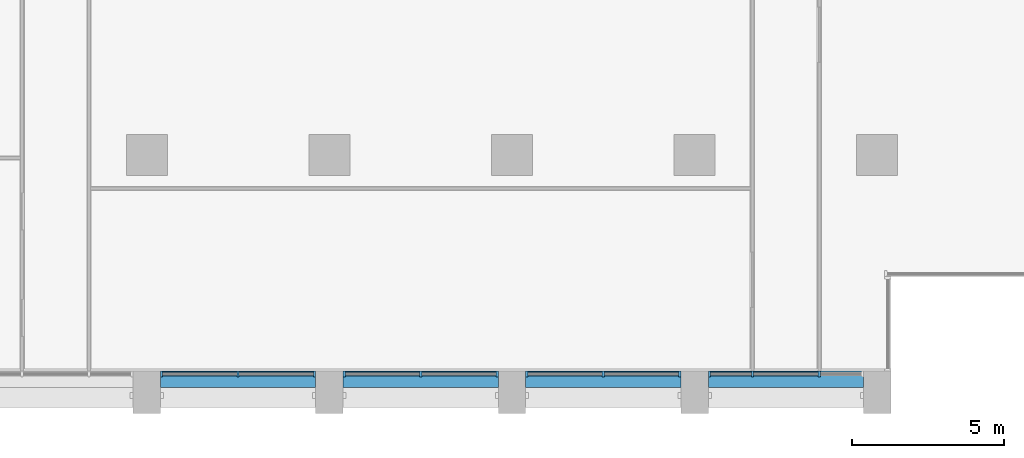
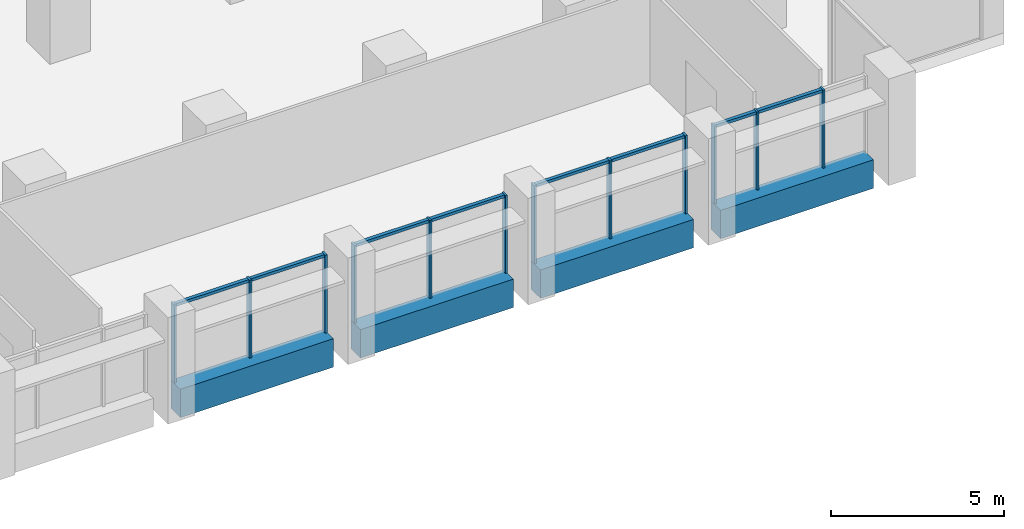
# One storey, part 3 of 15: 20 members, 4 beams, 4 elements without a shape of their own.
"""IFC4 building model written with IfcOpenShell, lengths in metres."""

from ifc_helpers import new_model, si_unit, direction, frame, origin, origin_2d, place, context, subcontext, project, spatial, rectangle, extrude, material, material_profile, profile_set, type_object, element, aggregate, save


model = new_model("IFC4")

# Units and contexts
model_context = context("Model", 3, precision=1e-05, world=origin(), true_north=direction((0.0, 1.0)))
body_context = subcontext(model_context, "Body", "Model", "MODEL_VIEW")
ifc_project = project(units=[si_unit("LENGTHUNIT", "METRE"), si_unit("AREAUNIT", "SQUARE_METRE"), si_unit("VOLUMEUNIT", "CUBIC_METRE"), si_unit("PLANEANGLEUNIT", "RADIAN"), si_unit("MASSUNIT", "GRAM", prefix="KILO")], contexts=[model_context])

# Site, building, storey
site_placement = place(None, origin())
site = spatial("IfcSite", under=ifc_project, at=site_placement, CompositionType="ELEMENT")
building_placement = place(site_placement, origin())
building = spatial("IfcBuilding", under=site, at=building_placement, Name="Calvaro Tower", CompositionType="ELEMENT")
storey_placement = place(building_placement, frame((0.0, 0.0, 117.5)))
storey = spatial("IfcBuildingStorey", under=building, at=storey_placement, Name="L29", CompositionType="ELEMENT", Elevation=117.5)

# Curtain wall, members
ifc_material_1 = material(Name="Anodised aluminium", Category="aluminium")
curtain_wall_type = type_object("IfcCurtainWallType", Name="Office curtain wall, middle zone", PredefinedType="NOTDEFINED", material=ifc_material_1)
curtain_wall_1_placement = place(storey_placement, origin())
curtain_wall_1 = element("IfcCurtainWall", 1, at=curtain_wall_1_placement, inside=storey, type_object=curtain_wall_type, Name="CW2 south curtain wall", PredefinedType="NOTDEFINED")
ifc_material_2 = material(Name="Anodised aluminium", Category="aluminium")
ifc_material_profile_1 = material_profile(ifc_material_2, rectangle(XDim=0.199951171875, YDim=0.070068359375, at=origin_2d()), Name="Mullion S2 70 x 200")
ifc_profile_set_1 = profile_set([ifc_material_profile_1], Name="Anodised aluminium")
member_type_1 = type_object("IfcMemberType", Name="Mullion S2 70 x 200", PredefinedType="MULLION", material=ifc_profile_set_1)
member_1_placement = place(storey_placement, frame((42.485107421875, 2.800048828125, 0.0), z_axis=(0.0, 0.0, 1.0), x_axis=(0.0, 1.0, 0.0)))
member_1 = element("IfcMember", 2, at=member_1_placement, type_object=member_type_1, Name="CW2 mullion 1", PredefinedType="MULLION", context=body_context, shape_type="SweptSolid", body=[
    extrude(rectangle(XDim=0.199951171875, YDim=0.070068359375, at=origin_2d()), origin(), (0.0, 0.0, 1.0), 2.75),
])
member_2_placement = place(storey_placement, frame((45.0, 2.800048828125, 0.0), z_axis=(0.0, 0.0, 1.0), x_axis=(0.0, 1.0, 0.0)))
member_2 = element("IfcMember", 3, at=member_2_placement, type_object=member_type_1, Name="CW2 mullion 2", PredefinedType="MULLION", context=body_context, shape_type="SweptSolid", body=[
    extrude(rectangle(XDim=0.199951171875, YDim=0.070068359375, at=origin_2d()), origin(), (0.0, 0.0, 1.0), 2.75),
])
member_3_placement = place(storey_placement, frame((47.514892578125, 2.800048828125, 0.0), z_axis=(0.0, 0.0, 1.0), x_axis=(0.0, 1.0, 0.0)))
member_3 = element("IfcMember", 4, at=member_3_placement, type_object=member_type_1, Name="CW2 mullion 3", PredefinedType="MULLION", context=body_context, shape_type="SweptSolid", body=[
    extrude(rectangle(XDim=0.199951171875, YDim=0.070068359375, at=origin_2d()), origin(), (0.0, 0.0, 1.0), 2.75),
])

curtain_wall_2_placement = place(storey_placement, origin())
curtain_wall_2 = element("IfcCurtainWall", 5, at=curtain_wall_2_placement, inside=storey, type_object=curtain_wall_type, Name="CW2 south curtain wall", PredefinedType="NOTDEFINED")
member_4_placement = place(storey_placement, frame((48.485107421875, 2.800048828125, 0.0), z_axis=(0.0, 0.0, 1.0), x_axis=(0.0, 1.0, 0.0)))
member_4 = element("IfcMember", 6, at=member_4_placement, type_object=member_type_1, Name="CW2 mullion 1", PredefinedType="MULLION", context=body_context, shape_type="SweptSolid", body=[
    extrude(rectangle(XDim=0.199951171875, YDim=0.070068359375, at=origin_2d()), origin(), (0.0, 0.0, 1.0), 2.75),
])
member_5_placement = place(storey_placement, frame((51.0, 2.800048828125, 0.0), z_axis=(0.0, 0.0, 1.0), x_axis=(0.0, 1.0, 0.0)))
member_5 = element("IfcMember", 7, at=member_5_placement, type_object=member_type_1, Name="CW2 mullion 2", PredefinedType="MULLION", context=body_context, shape_type="SweptSolid", body=[
    extrude(rectangle(XDim=0.199951171875, YDim=0.070068359375, at=origin_2d()), origin(), (0.0, 0.0, 1.0), 2.75),
])
member_6_placement = place(storey_placement, frame((53.514892578125, 2.800048828125, 0.0), z_axis=(0.0, 0.0, 1.0), x_axis=(0.0, 1.0, 0.0)))
member_6 = element("IfcMember", 8, at=member_6_placement, type_object=member_type_1, Name="CW2 mullion 3", PredefinedType="MULLION", context=body_context, shape_type="SweptSolid", body=[
    extrude(rectangle(XDim=0.199951171875, YDim=0.070068359375, at=origin_2d()), origin(), (0.0, 0.0, 1.0), 2.75),
])

curtain_wall_3_placement = place(storey_placement, origin())
curtain_wall_3 = element("IfcCurtainWall", 9, at=curtain_wall_3_placement, inside=storey, type_object=curtain_wall_type, Name="CW2 south curtain wall", PredefinedType="NOTDEFINED")
member_7_placement = place(storey_placement, frame((54.485107421875, 2.800048828125, 0.0), z_axis=(0.0, 0.0, 1.0), x_axis=(0.0, 1.0, 0.0)))
member_7 = element("IfcMember", 10, at=member_7_placement, type_object=member_type_1, Name="CW2 mullion 1", PredefinedType="MULLION", context=body_context, shape_type="SweptSolid", body=[
    extrude(rectangle(XDim=0.199951171875, YDim=0.070068359375, at=origin_2d()), origin(), (0.0, 0.0, 1.0), 2.75),
])
member_8_placement = place(storey_placement, frame((57.0, 2.800048828125, 0.0), z_axis=(0.0, 0.0, 1.0), x_axis=(0.0, 1.0, 0.0)))
member_8 = element("IfcMember", 11, at=member_8_placement, type_object=member_type_1, Name="CW2 mullion 2", PredefinedType="MULLION", context=body_context, shape_type="SweptSolid", body=[
    extrude(rectangle(XDim=0.199951171875, YDim=0.070068359375, at=origin_2d()), origin(), (0.0, 0.0, 1.0), 2.75),
])
member_9_placement = place(storey_placement, frame((59.514892578125, 2.800048828125, 0.0), z_axis=(0.0, 0.0, 1.0), x_axis=(0.0, 1.0, 0.0)))
member_9 = element("IfcMember", 12, at=member_9_placement, type_object=member_type_1, Name="CW2 mullion 3", PredefinedType="MULLION", context=body_context, shape_type="SweptSolid", body=[
    extrude(rectangle(XDim=0.199951171875, YDim=0.070068359375, at=origin_2d()), origin(), (0.0, 0.0, 1.0), 2.75),
])

curtain_wall_4_placement = place(storey_placement, origin())
curtain_wall_4 = element("IfcCurtainWall", 13, at=curtain_wall_4_placement, inside=storey, type_object=curtain_wall_type, Name="CW2 south curtain wall", PredefinedType="NOTDEFINED")
member_10_placement = place(storey_placement, frame((60.485107421875, 2.800048828125, 0.0), z_axis=(0.0, 0.0, 1.0), x_axis=(0.0, 1.0, 0.0)))
member_10 = element("IfcMember", 14, at=member_10_placement, type_object=member_type_1, Name="CW2 mullion 1", PredefinedType="MULLION", context=body_context, shape_type="SweptSolid", body=[
    extrude(rectangle(XDim=0.199951171875, YDim=0.070068359375, at=origin_2d()), origin(), (0.0, 0.0, 1.0), 2.75),
])
member_11_placement = place(storey_placement, frame((61.89990234375, 2.800048828125, 0.0), z_axis=(0.0, 0.0, 1.0), x_axis=(0.0, 1.0, 0.0)))
member_11 = element("IfcMember", 15, at=member_11_placement, type_object=member_type_1, Name="CW2 mullion 2", PredefinedType="MULLION", context=body_context, shape_type="SweptSolid", body=[
    extrude(rectangle(XDim=0.199951171875, YDim=0.070068359375, at=origin_2d()), origin(), (0.0, 0.0, 1.0), 2.75),
])
member_12_placement = place(storey_placement, frame((64.10009765625, 2.800048828125, 0.0), z_axis=(0.0, 0.0, 1.0), x_axis=(0.0, 1.0, 0.0)))
member_12 = element("IfcMember", 16, at=member_12_placement, type_object=member_type_1, Name="CW2 mullion 3", PredefinedType="MULLION", context=body_context, shape_type="SweptSolid", body=[
    extrude(rectangle(XDim=0.199951171875, YDim=0.070068359375, at=origin_2d()), origin(), (0.0, 0.0, 1.0), 2.75),
])

# Beams
ifc_material_3 = material(Name="Concrete C50/60 precast", Category="concrete")
ifc_material_profile_2 = material_profile(ifc_material_3, rectangle(XDim=0.550048828125, YDim=1.0, at=origin_2d()), Name="RC 550x1000")
ifc_profile_set_2 = profile_set([ifc_material_profile_2], Name="Concrete C50/60 precast")
beam_type = type_object("IfcBeamType", Name="Spandrel beam 550x1000 C50/60", PredefinedType="SPANDREL", material=ifc_profile_set_2)
for number, where, z_axis, x_axis, name in (
    (17, (42.449951171875, 2.625, -0.5), (1.0, 0.0, 0.0), (0.0, 1.0, 0.0), "Spandrel beam"),
    (18, (48.449951171875, 2.625, -0.5), (1.0, 0.0, 0.0), (0.0, 1.0, 0.0), "Spandrel beam"),
    (19, (54.449951171875, 2.625, -0.5), (1.0, 0.0, 0.0), (0.0, 1.0, 0.0), "Spandrel beam"),
    (20, (60.449951171875, 2.625, -0.5), (1.0, 0.0, 0.0), (0.0, 1.0, 0.0), "Spandrel beam"),
):
    element("IfcBeam", number, at=place(storey_placement, frame(where, z_axis=z_axis, x_axis=x_axis)), inside=storey, type_object=beam_type, Name=name, PredefinedType="SPANDREL", context=body_context, shape_type="SweptSolid", body=[
        extrude(rectangle(XDim=0.550048828125, YDim=1.0, at=origin_2d()), origin(), (0.0, 0.0, 1.0), 5.10009765625),
    ])

# Member
ifc_material_4 = material(Name="Anodised aluminium", Category="aluminium")
ifc_material_profile_3 = material_profile(ifc_material_4, rectangle(XDim=0.1201171875, YDim=0.10009765625, at=origin_2d()), Name="Transom S2 100 x 120")
ifc_profile_set_3 = profile_set([ifc_material_profile_3], Name="Anodised aluminium")
member_type_2 = type_object("IfcMemberType", Name="Transom S2 100 x 120", PredefinedType="USERDEFINED", material=ifc_profile_set_3)
member_13_placement = place(storey_placement, frame((42.52001953125, 2.800048828125, 2.699951171875), z_axis=(1.0, 0.0, 0.0), x_axis=(0.0, 1.0, 0.0)))
member_13 = element("IfcMember", 21, at=member_13_placement, type_object=member_type_2, Name="CW2 transom 1.1", ObjectType="TRANSOM", PredefinedType="USERDEFINED", context=body_context, shape_type="SweptSolid", body=[
    extrude(rectangle(XDim=0.1201171875, YDim=0.10009765625, at=origin_2d()), origin(), (0.0, 0.0, 1.0), 2.445068359375),
])

member_14_placement = place(storey_placement, frame((45.034912109375, 2.800048828125, 2.699951171875), z_axis=(1.0, 0.0, 0.0), x_axis=(0.0, 1.0, 0.0)))
member_14 = element("IfcMember", 22, at=member_14_placement, type_object=member_type_2, Name="CW2 transom 2.1", ObjectType="TRANSOM", PredefinedType="USERDEFINED", context=body_context, shape_type="SweptSolid", body=[
    extrude(rectangle(XDim=0.1201171875, YDim=0.10009765625, at=origin_2d()), origin(), (0.0, 0.0, 1.0), 2.445068359375),
])

aggregate(curtain_wall_1, [member_1, member_2, member_3, member_13, member_14])

member_15_placement = place(storey_placement, frame((48.52001953125, 2.800048828125, 2.699951171875), z_axis=(1.0, 0.0, 0.0), x_axis=(0.0, 1.0, 0.0)))
member_15 = element("IfcMember", 23, at=member_15_placement, type_object=member_type_2, Name="CW2 transom 1.1", ObjectType="TRANSOM", PredefinedType="USERDEFINED", context=body_context, shape_type="SweptSolid", body=[
    extrude(rectangle(XDim=0.1201171875, YDim=0.10009765625, at=origin_2d()), origin(), (0.0, 0.0, 1.0), 2.445068359375),
])

member_16_placement = place(storey_placement, frame((51.034912109375, 2.800048828125, 2.699951171875), z_axis=(1.0, 0.0, 0.0), x_axis=(0.0, 1.0, 0.0)))
member_16 = element("IfcMember", 24, at=member_16_placement, type_object=member_type_2, Name="CW2 transom 2.1", ObjectType="TRANSOM", PredefinedType="USERDEFINED", context=body_context, shape_type="SweptSolid", body=[
    extrude(rectangle(XDim=0.1201171875, YDim=0.10009765625, at=origin_2d()), origin(), (0.0, 0.0, 1.0), 2.445068359375),
])

aggregate(curtain_wall_2, [member_4, member_5, member_6, member_15, member_16])

member_17_placement = place(storey_placement, frame((54.52001953125, 2.800048828125, 2.699951171875), z_axis=(1.0, 0.0, 0.0), x_axis=(0.0, 1.0, 0.0)))
member_17 = element("IfcMember", 25, at=member_17_placement, type_object=member_type_2, Name="CW2 transom 1.1", ObjectType="TRANSOM", PredefinedType="USERDEFINED", context=body_context, shape_type="SweptSolid", body=[
    extrude(rectangle(XDim=0.1201171875, YDim=0.10009765625, at=origin_2d()), origin(), (0.0, 0.0, 1.0), 2.445068359375),
])

member_18_placement = place(storey_placement, frame((57.034912109375, 2.800048828125, 2.699951171875), z_axis=(1.0, 0.0, 0.0), x_axis=(0.0, 1.0, 0.0)))
member_18 = element("IfcMember", 26, at=member_18_placement, type_object=member_type_2, Name="CW2 transom 2.1", ObjectType="TRANSOM", PredefinedType="USERDEFINED", context=body_context, shape_type="SweptSolid", body=[
    extrude(rectangle(XDim=0.1201171875, YDim=0.10009765625, at=origin_2d()), origin(), (0.0, 0.0, 1.0), 2.445068359375),
])

aggregate(curtain_wall_3, [member_7, member_8, member_9, member_17, member_18])

member_19_placement = place(storey_placement, frame((60.52001953125, 2.800048828125, 2.699951171875), z_axis=(1.0, 0.0, 0.0), x_axis=(0.0, 1.0, 0.0)))
member_19 = element("IfcMember", 27, at=member_19_placement, type_object=member_type_2, Name="CW2 transom 1.1", ObjectType="TRANSOM", PredefinedType="USERDEFINED", context=body_context, shape_type="SweptSolid", body=[
    extrude(rectangle(XDim=0.1201171875, YDim=0.10009765625, at=origin_2d()), origin(), (0.0, 0.0, 1.0), 1.344970703125),
])

member_20_placement = place(storey_placement, frame((61.93505859375, 2.800048828125, 2.699951171875), z_axis=(1.0, 0.0, 0.0), x_axis=(0.0, 1.0, 0.0)))
member_20 = element("IfcMember", 28, at=member_20_placement, type_object=member_type_2, Name="CW2 transom 2.1", ObjectType="TRANSOM", PredefinedType="USERDEFINED", context=body_context, shape_type="SweptSolid", body=[
    extrude(rectangle(XDim=0.1201171875, YDim=0.10009765625, at=origin_2d()), origin(), (0.0, 0.0, 1.0), 2.1298828125),
])

aggregate(curtain_wall_4, [member_10, member_11, member_12, member_19, member_20])

save(model, "model.ifc")
